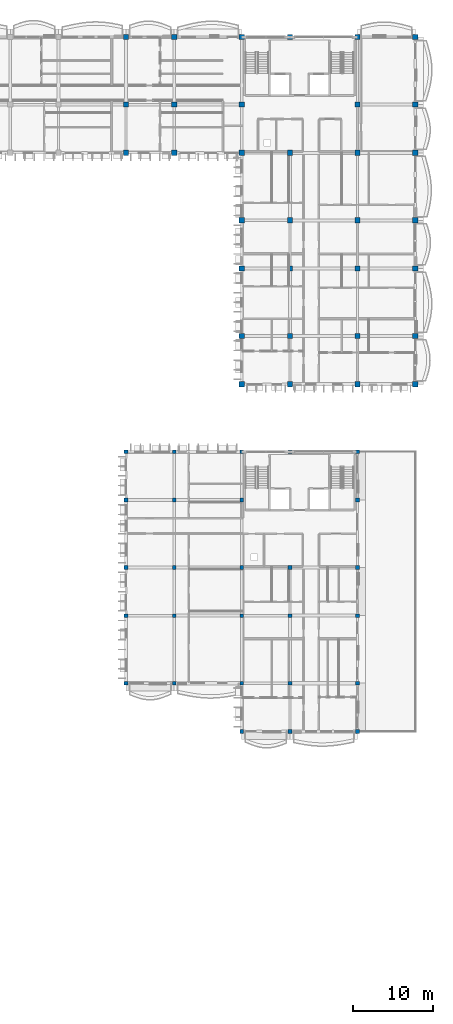
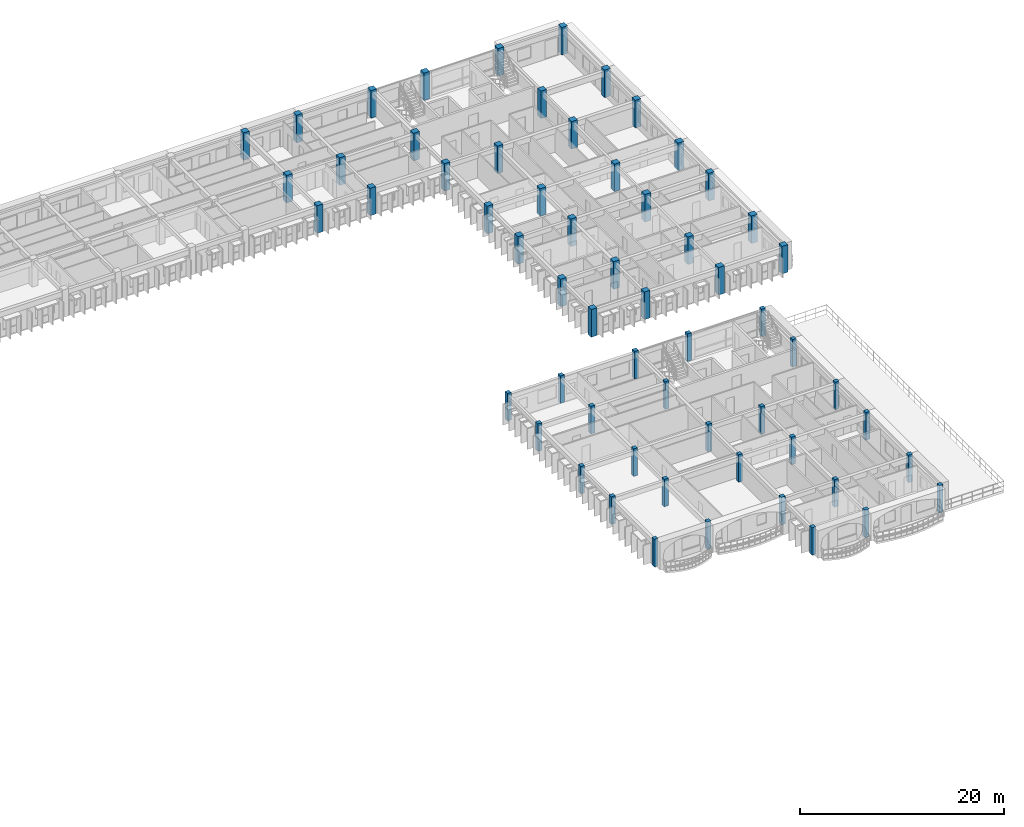
# One storey, part 2 of 66: 60 columns.
"""IFC4 building model written with IfcOpenShell, lengths in metres."""

from ifc_helpers import new_model, si_unit, direction, frame, origin, origin_2d, place, context, subcontext, project, spatial, rectangle, extrude, material, material_profile, profile_set, type_object, element, save


model = new_model("IFC4")

# Units and contexts
model_context = context("Model", 3, precision=1e-05, world=origin(), true_north=direction((0.0, 1.0)))
body_context = subcontext(model_context, "Body", "Model", "MODEL_VIEW")
ifc_project = project(units=[si_unit("LENGTHUNIT", "METRE"), si_unit("AREAUNIT", "SQUARE_METRE"), si_unit("VOLUMEUNIT", "CUBIC_METRE"), si_unit("PLANEANGLEUNIT", "RADIAN"), si_unit("MASSUNIT", "GRAM", prefix="KILO"), si_unit("THERMODYNAMICTEMPERATUREUNIT", "KELVIN")], contexts=[model_context])

# Site, building, storey
site_placement = place(None, origin())
site = spatial("IfcSite", under=ifc_project, at=site_placement, CompositionType="ELEMENT")
building_placement = place(site_placement, origin())
building = spatial("IfcBuilding", under=site, at=building_placement, Name="Thalorik Housing Commons", CompositionType="ELEMENT")
storey_placement = place(building_placement, frame((0.0, 0.0, 21.300048828125)))
storey = spatial("IfcBuildingStorey", under=building, at=storey_placement, Name="L06", CompositionType="ELEMENT", Elevation=21.300048828125)

# Columns
ifc_material = material(Name="Precast concrete C40/50", Category="concrete")
ifc_material_profile_1 = material_profile(ifc_material, rectangle(XDim=0.449951171875, YDim=0.449951171875, at=origin_2d()), Name="PC 450x450", Category="concrete")
ifc_profile_set_1 = profile_set([ifc_material_profile_1], Name="Precast concrete C40/50")
column_type_1 = type_object("IfcColumnType", Name="STR-COL-PC450", PredefinedType="COLUMN", material=ifc_profile_set_1)
for number, where, z_axis, x_axis, name in (
    (1, (138.0, 43.199951171875, 0.0), (0.0, 0.0, 1.0), (1.0, 0.0, 0.0), "L06 Column C-450"),
    (2, (138.0, 51.60009765625, 0.0), (0.0, 0.0, 1.0), (1.0, 0.0, 0.0), "L06 Column C-450"),
    (3, (138.0, 57.60009765625, 0.0), (0.0, 0.0, 1.0), (1.0, 0.0, 0.0), "L06 Column C-450"),
    (4, (138.0, 66.0, 0.0), (0.0, 0.0, 1.0), (1.0, 0.0, 0.0), "L06 Column C-450"),
    (5, (138.0, 72.0, 0.0), (0.0, 0.0, 1.0), (1.0, 0.0, 0.0), "L06 Column C-450"),
    (6, (144.0, 43.199951171875, 0.0), (0.0, 0.0, 1.0), (1.0, 0.0, 0.0), "L06 Column C-450"),
    (7, (144.0, 51.60009765625, 0.0), (0.0, 0.0, 1.0), (1.0, 0.0, 0.0), "L06 Column C-450"),
    (8, (144.0, 57.60009765625, 0.0), (0.0, 0.0, 1.0), (1.0, 0.0, 0.0), "L06 Column C-450"),
    (9, (144.0, 66.0, 0.0), (0.0, 0.0, 1.0), (1.0, 0.0, 0.0), "L06 Column C-450"),
    (10, (144.0, 72.0, 0.0), (0.0, 0.0, 1.0), (1.0, 0.0, 0.0), "L06 Column C-450"),
    (11, (152.39990234375, 37.199951171875, 0.0), (0.0, 0.0, 1.0), (1.0, 0.0, 0.0), "L06 Column C-450"),
    (12, (152.39990234375, 43.199951171875, 0.0), (0.0, 0.0, 1.0), (1.0, 0.0, 0.0), "L06 Column C-450"),
    (13, (152.39990234375, 51.60009765625, 0.0), (0.0, 0.0, 1.0), (1.0, 0.0, 0.0), "L06 Column C-450"),
    (14, (152.39990234375, 57.60009765625, 0.0), (0.0, 0.0, 1.0), (1.0, 0.0, 0.0), "L06 Column C-450"),
    (15, (152.39990234375, 66.0, 0.0), (0.0, 0.0, 1.0), (1.0, 0.0, 0.0), "L06 Column C-450"),
    (16, (152.39990234375, 72.0, 0.0), (0.0, 0.0, 1.0), (1.0, 0.0, 0.0), "L06 Column C-450"),
    (17, (158.39990234375, 37.199951171875, 0.0), (0.0, 0.0, 1.0), (1.0, 0.0, 0.0), "L06 Column C-450"),
    (18, (158.39990234375, 43.199951171875, 0.0), (0.0, 0.0, 1.0), (1.0, 0.0, 0.0), "L06 Column C-450"),
    (19, (158.39990234375, 51.60009765625, 0.0), (0.0, 0.0, 1.0), (1.0, 0.0, 0.0), "L06 Column C-450"),
    (20, (158.39990234375, 57.60009765625, 0.0), (0.0, 0.0, 1.0), (1.0, 0.0, 0.0), "L06 Column C-450"),
    (21, (158.39990234375, 72.0, 0.0), (0.0, 0.0, 1.0), (1.0, 0.0, 0.0), "L06 Column C-450"),
    (22, (166.800048828125, 37.199951171875, 0.0), (0.0, 0.0, 1.0), (1.0, 0.0, 0.0), "L06 Column C-450"),
    (23, (166.800048828125, 43.199951171875, 0.0), (0.0, 0.0, 1.0), (1.0, 0.0, 0.0), "L06 Column C-450"),
    (24, (166.800048828125, 51.60009765625, 0.0), (0.0, 0.0, 1.0), (1.0, 0.0, 0.0), "L06 Column C-450"),
    (25, (166.800048828125, 57.60009765625, 0.0), (0.0, 0.0, 1.0), (1.0, 0.0, 0.0), "L06 Column C-450"),
    (26, (166.800048828125, 66.0, 0.0), (0.0, 0.0, 1.0), (1.0, 0.0, 0.0), "L06 Column C-450"),
    (27, (166.800048828125, 72.0, 0.0), (0.0, 0.0, 1.0), (1.0, 0.0, 0.0), "L06 Column C-450"),
):
    element("IfcColumn", number, at=place(storey_placement, frame(where, z_axis=z_axis, x_axis=x_axis)), inside=storey, type_object=column_type_1, Name=name, PredefinedType="COLUMN", context=body_context, shape_type="SweptSolid", body=[
        extrude(rectangle(XDim=0.449951171875, YDim=0.449951171875, at=origin_2d()), origin(), (0.0, 0.0, 1.0), 3.300048828125),
    ])
ifc_material_profile_2 = material_profile(ifc_material, rectangle(XDim=0.64990234375, YDim=0.64990234375, at=origin_2d()), Name="PC 650x650", Category="concrete")
ifc_profile_set_2 = profile_set([ifc_material_profile_2], Name="Precast concrete C40/50")
column_type_2 = type_object("IfcColumnType", Name="STR-COL-PC650", PredefinedType="COLUMN", material=ifc_profile_set_2)
for number, where, z_axis, x_axis, name in (
    (28, (138.0, 109.199951171875, 0.0), (0.0, 0.0, 1.0), (1.0, 0.0, 0.0), "L06 Column C-650"),
    (29, (138.0, 115.199951171875, 0.0), (0.0, 0.0, 1.0), (1.0, 0.0, 0.0), "L06 Column C-650"),
    (30, (138.0, 123.60009765625, 0.0), (0.0, 0.0, 1.0), (1.0, 0.0, 0.0), "L06 Column C-650"),
    (31, (144.0, 109.199951171875, 0.0), (0.0, 0.0, 1.0), (1.0, 0.0, 0.0), "L06 Column C-650"),
    (32, (144.0, 115.199951171875, 0.0), (0.0, 0.0, 1.0), (1.0, 0.0, 0.0), "L06 Column C-650"),
    (33, (144.0, 123.60009765625, 0.0), (0.0, 0.0, 1.0), (1.0, 0.0, 0.0), "L06 Column C-650"),
    (34, (152.39990234375, 80.39990234375, 0.0), (0.0, 0.0, 1.0), (1.0, 0.0, 0.0), "L06 Column C-650"),
    (35, (152.39990234375, 86.39990234375, 0.0), (0.0, 0.0, 1.0), (1.0, 0.0, 0.0), "L06 Column C-650"),
    (36, (152.39990234375, 94.800048828125, 0.0), (0.0, 0.0, 1.0), (1.0, 0.0, 0.0), "L06 Column C-650"),
    (37, (152.39990234375, 100.800048828125, 0.0), (0.0, 0.0, 1.0), (1.0, 0.0, 0.0), "L06 Column C-650"),
    (38, (152.39990234375, 109.199951171875, 0.0), (0.0, 0.0, 1.0), (1.0, 0.0, 0.0), "L06 Column C-650"),
    (39, (152.39990234375, 115.199951171875, 0.0), (0.0, 0.0, 1.0), (1.0, 0.0, 0.0), "L06 Column C-650"),
    (40, (152.39990234375, 123.60009765625, 0.0), (0.0, 0.0, 1.0), (1.0, 0.0, 0.0), "L06 Column C-650"),
    (41, (158.39990234375, 80.39990234375, 0.0), (0.0, 0.0, 1.0), (1.0, 0.0, 0.0), "L06 Column C-650"),
    (42, (158.39990234375, 86.39990234375, 0.0), (0.0, 0.0, 1.0), (1.0, 0.0, 0.0), "L06 Column C-650"),
    (43, (158.39990234375, 94.800048828125, 0.0), (0.0, 0.0, 1.0), (1.0, 0.0, 0.0), "L06 Column C-650"),
    (44, (158.39990234375, 100.800048828125, 0.0), (0.0, 0.0, 1.0), (1.0, 0.0, 0.0), "L06 Column C-650"),
    (45, (158.39990234375, 109.199951171875, 0.0), (0.0, 0.0, 1.0), (1.0, 0.0, 0.0), "L06 Column C-650"),
    (46, (158.39990234375, 123.60009765625, 0.0), (0.0, 0.0, 1.0), (1.0, 0.0, 0.0), "L06 Column C-650"),
    (47, (166.800048828125, 80.39990234375, 0.0), (0.0, 0.0, 1.0), (1.0, 0.0, 0.0), "L06 Column C-650"),
    (48, (166.800048828125, 86.39990234375, 0.0), (0.0, 0.0, 1.0), (1.0, 0.0, 0.0), "L06 Column C-650"),
    (49, (166.800048828125, 94.800048828125, 0.0), (0.0, 0.0, 1.0), (1.0, 0.0, 0.0), "L06 Column C-650"),
    (50, (166.800048828125, 100.800048828125, 0.0), (0.0, 0.0, 1.0), (1.0, 0.0, 0.0), "L06 Column C-650"),
    (51, (166.800048828125, 109.199951171875, 0.0), (0.0, 0.0, 1.0), (1.0, 0.0, 0.0), "L06 Column C-650"),
    (52, (166.800048828125, 115.199951171875, 0.0), (0.0, 0.0, 1.0), (1.0, 0.0, 0.0), "L06 Column C-650"),
    (53, (166.800048828125, 123.60009765625, 0.0), (0.0, 0.0, 1.0), (1.0, 0.0, 0.0), "L06 Column C-650"),
    (54, (174.0, 80.39990234375, 0.0), (0.0, 0.0, 1.0), (1.0, 0.0, 0.0), "L06 Column C-650"),
    (55, (174.0, 86.39990234375, 0.0), (0.0, 0.0, 1.0), (1.0, 0.0, 0.0), "L06 Column C-650"),
    (56, (174.0, 94.800048828125, 0.0), (0.0, 0.0, 1.0), (1.0, 0.0, 0.0), "L06 Column C-650"),
    (57, (174.0, 100.800048828125, 0.0), (0.0, 0.0, 1.0), (1.0, 0.0, 0.0), "L06 Column C-650"),
    (58, (174.0, 109.199951171875, 0.0), (0.0, 0.0, 1.0), (1.0, 0.0, 0.0), "L06 Column C-650"),
    (59, (174.0, 115.199951171875, 0.0), (0.0, 0.0, 1.0), (1.0, 0.0, 0.0), "L06 Column C-650"),
    (60, (174.0, 123.60009765625, 0.0), (0.0, 0.0, 1.0), (1.0, 0.0, 0.0), "L06 Column C-650"),
):
    element("IfcColumn", number, at=place(storey_placement, frame(where, z_axis=z_axis, x_axis=x_axis)), inside=storey, type_object=column_type_2, Name=name, PredefinedType="COLUMN", context=body_context, shape_type="SweptSolid", body=[
        extrude(rectangle(XDim=0.64990234375, YDim=0.64990234375, at=origin_2d()), origin(), (0.0, 0.0, 1.0), 3.300048828125),
    ])

save(model, "model.ifc")
